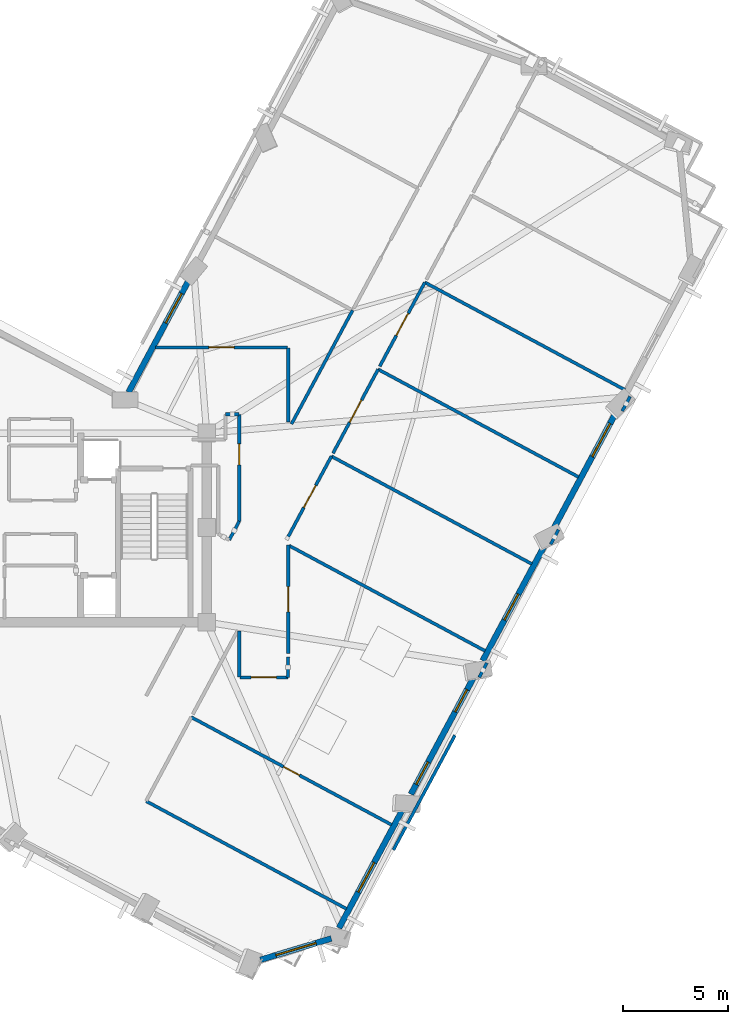
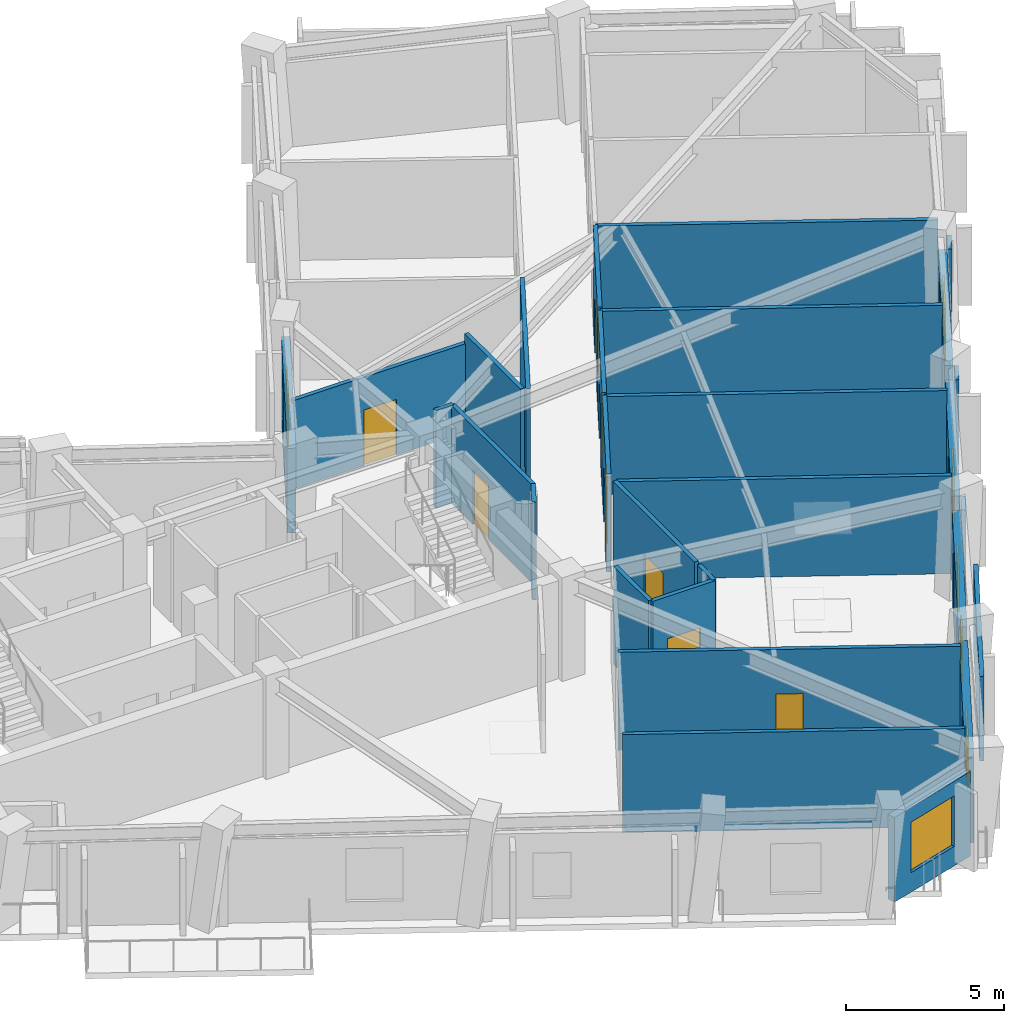
# One storey, part 8 of 14: 29 walls, 8 doors, 7 windows, 15 openings.
"""IFC4 building model written with IfcOpenShell, lengths in metres."""

from ifc_helpers import new_model, si_unit, direction, frame, frame_2d, origin, place, context, subcontext, project, spatial, rectangle, extrude, material, layer, layer_set, type_object, element, fill, save


model = new_model("IFC4")

# Units and contexts
model_context = context("Model", 3, precision=1e-05, world=origin(), true_north=direction((0.0, 1.0)))
body_context = subcontext(model_context, "Body", "Model", "MODEL_VIEW")
ifc_project = project(units=[si_unit("LENGTHUNIT", "METRE"), si_unit("AREAUNIT", "SQUARE_METRE"), si_unit("VOLUMEUNIT", "CUBIC_METRE"), si_unit("PLANEANGLEUNIT", "RADIAN"), si_unit("MASSUNIT", "GRAM", prefix="KILO")], contexts=[model_context])

# Site, building, storey
site_placement = place(None, origin())
site = spatial("IfcSite", under=ifc_project, at=site_placement, CompositionType="ELEMENT")
building_placement = place(site_placement, origin())
building = spatial("IfcBuilding", under=site, at=building_placement, Name="Gaonmaruhae Medical Tower", CompositionType="ELEMENT")
storey_placement = place(building_placement, frame((0.0, 0.0, 288.60009765625)))
storey = spatial("IfcBuildingStorey", under=building, at=storey_placement, Name="L69", CompositionType="ELEMENT", Elevation=288.60009765625)

# Wall, opening, window
ifc_material_1 = material(Name="Precast concrete C45/55", Category="concrete")
ifc_layer_1 = layer(ifc_material_1, 0.280029296875)
ifc_layer_set_1 = layer_set([ifc_layer_1], Name="Precast concrete C45/55")
wall_type_1 = type_object("IfcWallType", Name="EW-280 Upper Precast Masonry-Frame Facade Wall", PredefinedType="SOLIDWALL", material=ifc_layer_set_1)
wall_1_placement = place(storey_placement, frame((44.970703125, -1.046630859375, 0.0), z_axis=(0.0, 0.0, 1.0), x_axis=(-0.473329553923, -0.880885425798, 0.0)))
wall_1 = element("IfcWall", 1, at=wall_1_placement, inside=storey, type_object=wall_type_1, Name="L69 Precast Masonry-Frame Wall S01-S02", PredefinedType="SOLIDWALL", context=body_context, shape_type="SweptSolid", body=[
    extrude(rectangle(XDim=6.484619140625, YDim=0.280029296875, at=frame_2d((3.2421875, 0.0))), origin(), (0.0, 0.0, 1.0), 3.264892578125),
])
opening_1_placement = place(wall_1_placement, frame((2.948974609375, 0.0, 0.75)))
opening_1 = element("IfcOpeningElement", 2, at=opening_1_placement, cuts=wall_1, Name="Opening WN-01", PredefinedType="OPENING", context=body_context, shape_type="SweptSolid", body=[
    extrude(rectangle(XDim=1.60009765625, YDim=1.949951171875, at=frame_2d((0.800048828125, 0.97509765625))), frame((0.0, 0.14990234375, 0.0), z_axis=(0.0, -1.0, 0.0), x_axis=(1.0, 0.0, 0.0)), (0.0, 0.0, 1.0), 0.300048828125),
])
ifc_material_2 = material(Name="Anodised aluminium and Low-E double glazing", Category="aluminium")
window_type_1 = type_object("IfcWindowType", Name="WN-01 Ward Punched Acoustic Window 1600x1950", PartitioningType="SINGLE_PANEL", PredefinedType="WINDOW", material=ifc_material_2)
window_1_placement = place(opening_1_placement, origin())
window_1 = element("IfcWindow", 3, at=window_1_placement, inside=storey, type_object=window_type_1, Name="L69 Modular Facade Window S01", OverallHeight=1.949951171875, OverallWidth=1.60009765625, PartitioningType="SINGLE_PANEL", PredefinedType="WINDOW", context=body_context, shape_type="SweptSolid", body=[
    extrude(rectangle(XDim=1.60009765625, YDim=1.949951171875, at=frame_2d((0.800048828125, 0.97509765625))), frame((0.0, 0.030029296875, 0.0), z_axis=(0.0, -1.0, 0.0), x_axis=(1.0, 0.0, 0.0)), (0.0, 0.0, 1.0), 0.06005859375),
])
fill(opening_1, window_1)

# Wall, openings, windows
wall_2_placement = place(storey_placement, frame((48.3701171875, 5.280029296875, 0.0), z_axis=(0.0, 0.0, 1.0), x_axis=(-0.473335362581, -0.880882304584, 0.0)))
wall_2 = element("IfcWall", 4, at=wall_2_placement, inside=storey, type_object=wall_type_1, Name="L69 Precast Masonry-Frame Wall S02-S03", PredefinedType="SOLIDWALL", context=body_context, shape_type="SweptSolid", body=[
    extrude(rectangle(XDim=6.4384765625, YDim=0.280029296875, at=frame_2d((3.21923828125, 0.0))), origin(), (0.0, 0.0, 1.0), 3.264892578125),
])
opening_2_placement = place(wall_2_placement, frame((0.785400390625, 0.0, 0.75)))
opening_2 = element("IfcOpeningElement", 5, at=opening_2_placement, cuts=wall_2, Name="Opening WN-05", PredefinedType="OPENING", context=body_context, shape_type="SweptSolid", body=[
    extrude(rectangle(XDim=1.199951171875, YDim=1.75, at=frame_2d((0.60009765625, 0.875))), frame((0.0, 0.14990234375, 0.0), z_axis=(0.0, -1.0, 0.0), x_axis=(1.0, 0.0, 0.0)), (0.0, 0.0, 1.0), 0.300048828125),
])
opening_3_placement = place(wall_2_placement, frame((4.705078125, 0.0, 0.75)))
opening_3 = element("IfcOpeningElement", 6, at=opening_3_placement, cuts=wall_2, Name="Opening WN-05", PredefinedType="OPENING", context=body_context, shape_type="SweptSolid", body=[
    extrude(rectangle(XDim=1.199951171875, YDim=1.75, at=frame_2d((0.60009765625, 0.875))), frame((0.0, 0.14990234375, 0.0), z_axis=(0.0, -1.0, 0.0), x_axis=(1.0, 0.0, 0.0)), (0.0, 0.0, 1.0), 0.300048828125),
])
window_type_2 = type_object("IfcWindowType", Name="WN-05 Support & Staff Punched Window 1200x1750", PartitioningType="SINGLE_PANEL", PredefinedType="WINDOW", material=ifc_material_2)
window_2_placement = place(opening_2_placement, origin())
window_2 = element("IfcWindow", 7, at=window_2_placement, inside=storey, type_object=window_type_2, Name="L69 Modular Facade Window S02", OverallHeight=1.75, OverallWidth=1.199951171875, PartitioningType="SINGLE_PANEL", PredefinedType="WINDOW", context=body_context, shape_type="SweptSolid", body=[
    extrude(rectangle(XDim=1.199951171875, YDim=1.75, at=frame_2d((0.60009765625, 0.875))), frame((0.0, 0.030029296875, 0.0), z_axis=(0.0, -1.0, 0.0), x_axis=(1.0, 0.0, 0.0)), (0.0, 0.0, 1.0), 0.06005859375),
])
fill(opening_2, window_2)
window_3_placement = place(opening_3_placement, origin())
window_3 = element("IfcWindow", 8, at=window_3_placement, inside=storey, type_object=window_type_2, Name="L69 Modular Facade Window S02B", OverallHeight=1.75, OverallWidth=1.199951171875, PartitioningType="SINGLE_PANEL", PredefinedType="WINDOW", context=body_context, shape_type="SweptSolid", body=[
    extrude(rectangle(XDim=1.199951171875, YDim=1.75, at=frame_2d((0.60009765625, 0.875))), frame((0.0, 0.030029296875, 0.0), z_axis=(0.0, -1.0, 0.0), x_axis=(1.0, 0.0, 0.0)), (0.0, 0.0, 1.0), 0.06005859375),
])
fill(opening_3, window_3)

# Wall, opening, window
wall_3_placement = place(storey_placement, frame((51.77392578125, 11.614990234375, 0.0), z_axis=(0.0, 0.0, 1.0), x_axis=(-0.473332354162, -0.880883921129, 0.0)))
wall_3 = element("IfcWall", 9, at=wall_3_placement, inside=storey, type_object=wall_type_1, Name="L69 Precast Masonry-Frame Wall S03-S04", PredefinedType="SOLIDWALL", context=body_context, shape_type="SweptSolid", body=[
    extrude(rectangle(XDim=6.413330078125, YDim=0.280029296875, at=frame_2d((3.20654296875, 0.0))), origin(), (0.0, 0.0, 1.0), 3.264892578125),
])
opening_4_placement = place(wall_3_placement, frame((2.817626953125, 0.0, 0.75)))
opening_4 = element("IfcOpeningElement", 10, at=opening_4_placement, cuts=wall_3, Name="Opening WN-03", PredefinedType="OPENING", context=body_context, shape_type="SweptSolid", body=[
    extrude(rectangle(XDim=1.39990234375, YDim=1.85009765625, at=frame_2d((0.699951171875, 0.925048828125))), frame((0.0, 0.14990234375, 0.0), z_axis=(0.0, -1.0, 0.0), x_axis=(1.0, 0.0, 0.0)), (0.0, 0.0, 1.0), 0.300048828125),
])
window_type_3 = type_object("IfcWindowType", Name="WN-03 Isolation Ward Punched Window 1400x1850", PartitioningType="SINGLE_PANEL", PredefinedType="WINDOW", material=ifc_material_2)
window_4_placement = place(opening_4_placement, origin())
window_4 = element("IfcWindow", 11, at=window_4_placement, inside=storey, type_object=window_type_3, Name="L69 Modular Facade Window S03", OverallHeight=1.85009765625, OverallWidth=1.39990234375, PartitioningType="SINGLE_PANEL", PredefinedType="WINDOW", context=body_context, shape_type="SweptSolid", body=[
    extrude(rectangle(XDim=1.39990234375, YDim=1.85009765625, at=frame_2d((0.699951171875, 0.925048828125))), frame((0.0, 0.030029296875, 0.0), z_axis=(0.0, -1.0, 0.0), x_axis=(1.0, 0.0, 0.0)), (0.0, 0.0, 1.0), 0.06005859375),
])
fill(opening_4, window_4)

wall_4_placement = place(storey_placement, frame((55.182373046875, 17.958251953125, 0.0), z_axis=(0.0, 0.0, 1.0), x_axis=(-0.47331339391, -0.880894108929, 0.0)))
wall_4 = element("IfcWall", 12, at=wall_4_placement, inside=storey, type_object=wall_type_1, Name="L69 Precast Masonry-Frame Wall S04-S05", PredefinedType="SOLIDWALL", context=body_context, shape_type="SweptSolid", body=[
    extrude(rectangle(XDim=6.406982421875, YDim=0.280029296875, at=frame_2d((3.20361328125, 0.0))), origin(), (0.0, 0.0, 1.0), 3.264892578125),
])
opening_5_placement = place(wall_4_placement, frame((0.789794921875, 0.0, 0.75)))
opening_5 = element("IfcOpeningElement", 13, at=opening_5_placement, cuts=wall_4, Name="Opening WN-04", PredefinedType="OPENING", context=body_context, shape_type="SweptSolid", body=[
    extrude(rectangle(XDim=1.800048828125, YDim=2.050048828125, at=frame_2d((0.89990234375, 1.02490234375))), frame((0.0, 0.14990234375, 0.0), z_axis=(0.0, -1.0, 0.0), x_axis=(1.0, 0.0, 0.0)), (0.0, 0.0, 1.0), 0.300048828125),
])
window_type_4 = type_object("IfcWindowType", Name="WN-04 Clinic & Consult Punched Window 1800x2050", PartitioningType="SINGLE_PANEL", PredefinedType="WINDOW", material=ifc_material_2)
window_5_placement = place(opening_5_placement, origin())
window_5 = element("IfcWindow", 14, at=window_5_placement, inside=storey, type_object=window_type_4, Name="L69 Modular Facade Window S04", OverallHeight=2.050048828125, OverallWidth=1.800048828125, PartitioningType="SINGLE_PANEL", PredefinedType="WINDOW", context=body_context, shape_type="SweptSolid", body=[
    extrude(rectangle(XDim=1.800048828125, YDim=2.050048828125, at=frame_2d((0.89990234375, 1.02490234375))), frame((0.0, 0.030029296875, 0.0), z_axis=(0.0, -1.0, 0.0), x_axis=(1.0, 0.0, 0.0)), (0.0, 0.0, 1.0), 0.06005859375),
])
fill(opening_5, window_5)

wall_5_placement = place(storey_placement, frame((31.880859375, 18.748291015625, 0.0), z_axis=(0.0, 0.0, 1.0), x_axis=(0.473312386533, 0.880894650202, 0.0)))
wall_5 = element("IfcWall", 15, at=wall_5_placement, inside=storey, type_object=wall_type_1, Name="L69 Precast Masonry-Frame Wall EN02-KN01", PredefinedType="SOLIDWALL", context=body_context, shape_type="SweptSolid", body=[
    extrude(rectangle(XDim=6.158203125, YDim=0.280029296875, at=frame_2d((3.0791015625, 0.0))), origin(), (0.0, 0.0, 1.0), 3.264892578125),
])
opening_6_placement = place(wall_5_placement, frame((3.74169921875, 0.0, 0.75)))
opening_6 = element("IfcOpeningElement", 16, at=opening_6_placement, cuts=wall_5, Name="Opening WN-01", PredefinedType="OPENING", context=body_context, shape_type="SweptSolid", body=[
    extrude(rectangle(XDim=1.60009765625, YDim=1.949951171875, at=frame_2d((0.800048828125, 0.97509765625))), frame((0.0, 0.14990234375, 0.0), z_axis=(0.0, -1.0, 0.0), x_axis=(1.0, 0.0, 0.0)), (0.0, 0.0, 1.0), 0.300048828125),
])
window_6_placement = place(opening_6_placement, origin())
window_6 = element("IfcWindow", 17, at=window_6_placement, inside=storey, type_object=window_type_1, Name="L69 Modular Facade Window EN02", OverallHeight=1.949951171875, OverallWidth=1.60009765625, PartitioningType="SINGLE_PANEL", PredefinedType="WINDOW", context=body_context, shape_type="SweptSolid", body=[
    extrude(rectangle(XDim=1.60009765625, YDim=1.949951171875, at=frame_2d((0.800048828125, 0.97509765625))), frame((0.0, 0.030029296875, 0.0), z_axis=(0.0, -1.0, 0.0), x_axis=(1.0, 0.0, 0.0)), (0.0, 0.0, 1.0), 0.06005859375),
])
fill(opening_6, window_6)

wall_6_placement = place(storey_placement, frame((41.5322265625, -7.2607421875, 0.0), z_axis=(0.0, 0.0, 1.0), x_axis=(-0.957572074079, -0.288193898173, 0.0)))
wall_6 = element("IfcWall", 18, at=wall_6_placement, inside=storey, type_object=wall_type_1, Name="L69 Precast Masonry-Frame Wall W06-S01", PredefinedType="SOLIDWALL", context=body_context, shape_type="SweptSolid", body=[
    extrude(rectangle(XDim=3.520751953125, YDim=0.280029296875, at=frame_2d((1.76025390625, 0.0))), origin(), (0.0, 0.0, 1.0), 3.264892578125),
])
opening_7_placement = place(wall_6_placement, frame((0.759765625, 0.0, 0.75)))
opening_7 = element("IfcOpeningElement", 19, at=opening_7_placement, cuts=wall_6, Name="Opening WN-02", PredefinedType="OPENING", context=body_context, shape_type="SweptSolid", body=[
    extrude(rectangle(XDim=2.0, YDim=1.949951171875, at=frame_2d((1.0, 0.97509765625))), frame((0.0, 0.14990234375, 0.0), z_axis=(0.0, -1.0, 0.0), x_axis=(1.0, 0.0, 0.0)), (0.0, 0.0, 1.0), 0.300048828125),
])
window_type_5 = type_object("IfcWindowType", Name="WN-02 Double-Bed Ward Punched Window 2000x1950", PartitioningType="SINGLE_PANEL", PredefinedType="WINDOW", material=ifc_material_2)
window_7_placement = place(opening_7_placement, origin())
window_7 = element("IfcWindow", 20, at=window_7_placement, inside=storey, type_object=window_type_5, Name="L69 Modular Facade Window W06", OverallHeight=1.949951171875, OverallWidth=2.0, PartitioningType="SINGLE_PANEL", PredefinedType="WINDOW", context=body_context, shape_type="SweptSolid", body=[
    extrude(rectangle(XDim=2.0, YDim=1.949951171875, at=frame_2d((1.0, 0.97509765625))), frame((0.0, 0.030029296875, 0.0), z_axis=(0.0, -1.0, 0.0), x_axis=(1.0, 0.0, 0.0)), (0.0, 0.0, 1.0), 0.06005859375),
])
fill(opening_7, window_7)

# Wall, opening, door
ifc_material_3 = material(Name="Gypsum board partition", Category="gypsum")
ifc_layer_2 = layer(ifc_material_3, 0.14990234375)
ifc_layer_set_2 = layer_set([ifc_layer_2], Name="Gypsum board partition")
wall_type_2 = type_object("IfcWallType", Name="PW-150 Rated Clinical Corridor Partition", PredefinedType="PARTITIONING", material=ifc_layer_set_2)
wall_7_placement = place(storey_placement, frame((34.864013671875, 3.278076171875, 0.0), z_axis=(0.0, 0.0, 1.0), x_axis=(0.880889698019, -0.473321603062, 0.0)))
wall_7 = element("IfcWall", 21, at=wall_7_placement, inside=storey, type_object=wall_type_2, Name="L69 Interior Partition L69-SUP02-15", PredefinedType="PARTITIONING", context=body_context, shape_type="SweptSolid", body=[
    extrude(rectangle(XDim=10.83447265625, YDim=0.14990234375, at=frame_2d((5.417236328125, 0.0))), origin(), (0.0, 0.0, 1.0), 3.77978515625),
])
opening_8_placement = place(wall_7_placement, frame((4.9873046875, 0.0, 0.0)))
opening_8 = element("IfcOpeningElement", 22, at=opening_8_placement, cuts=wall_7, Name="Opening AD-01", PredefinedType="OPENING", context=body_context, shape_type="SweptSolid", body=[
    extrude(rectangle(XDim=0.860107421875, YDim=2.06005859375, at=frame_2d((0.43017578125, 1.030029296875))), frame((0.0, 0.0849609375, 0.0), z_axis=(0.0, -1.0, 0.0), x_axis=(1.0, 0.0, 0.0)), (0.0, 0.0, 1.0), 0.169921875),
])
ifc_material_4 = material(Name="Powder-coated steel access door", Category="steel")
door_type_1 = type_object("IfcDoorType", Name="AD-01 Riser & Closet Access Fire Door 860x2060", OperationType="NOTDEFINED", PredefinedType="DOOR", material=ifc_material_4)
door_1_placement = place(opening_8_placement, origin())
door_1 = element("IfcDoor", 23, at=door_1_placement, inside=storey, type_object=door_type_1, Name="L69 Clinical Biomedical Charting Office Sliding Door", OperationType="SLIDING_TO_LEFT", OverallHeight=2.06005859375, OverallWidth=0.860107421875, PredefinedType="DOOR", context=body_context, shape_type="SweptSolid", body=[
    extrude(rectangle(XDim=0.860107421875, YDim=2.06005859375, at=frame_2d((0.43017578125, 1.030029296875))), frame((0.0, 0.02490234375, 0.0), z_axis=(0.0, -1.0, 0.0), x_axis=(1.0, 0.0, 0.0)), (0.0, 0.0, 1.0), 0.050048828125),
])
fill(opening_8, door_1)

# Wall
wall_8_placement = place(storey_placement, frame((42.259033203125, -5.85009765625, 0.0), z_axis=(0.0, 0.0, 1.0), x_axis=(-0.880852115572, 0.473391540368, 0.0)))
element("IfcWall", 24, at=wall_8_placement, inside=storey, type_object=wall_type_2, Name="L69 Interior Partition L69-SUP02-16", PredefinedType="PARTITIONING", context=body_context, shape_type="SweptSolid", body=[
    extrude(rectangle(XDim=10.8349609375, YDim=0.14990234375, at=frame_2d((5.41748046875, 0.0))), origin(), (0.0, 0.0, 1.0), 3.77978515625),
])

# Wall, opening, door
wall_9_placement = place(storey_placement, frame((37.179931640625, 5.169921875, 0.0), z_axis=(0.0, 0.0, 1.0), x_axis=(0.999999536038, 0.000963287576, 0.0)))
wall_9 = element("IfcWall", 25, at=wall_9_placement, inside=storey, type_object=wall_type_2, Name="L69 Interior Partition L69-SUP03-17", PredefinedType="PARTITIONING", context=body_context, shape_type="SweptSolid", body=[
    extrude(rectangle(XDim=2.281005859375, YDim=0.14990234375, at=frame_2d((1.140625, 0.0))), origin(), (0.0, 0.0, 1.0), 3.77978515625),
])
opening_9_placement = place(wall_9_placement, frame((0.54052734375, 0.0, 0.0)))
opening_9 = element("IfcOpeningElement", 26, at=opening_9_placement, cuts=wall_9, Name="Opening CD-02", PredefinedType="OPENING", context=body_context, shape_type="SweptSolid", body=[
    extrude(rectangle(XDim=1.199951171875, YDim=2.14990234375, at=frame_2d((0.60009765625, 1.074951171875))), frame((0.0, 0.0849609375, 0.0), z_axis=(0.0, -1.0, 0.0), x_axis=(1.0, 0.0, 0.0)), (0.0, 0.0, 1.0), 0.169921875),
])
ifc_material_5 = material(Name="Antimicrobial laminate timber fire door", Category="wood")
door_type_2 = type_object("IfcDoorType", Name="CD-02 Clinical Treatment & Procedure Door 1200x2150", OperationType="NOTDEFINED", PredefinedType="DOOR", material=ifc_material_5)
door_2_placement = place(opening_9_placement, origin())
door_2 = element("IfcDoor", 27, at=door_2_placement, inside=storey, type_object=door_type_2, Name="L69 Clinical Biomedical Charting Office Door", OperationType="SINGLE_SWING_RIGHT", OverallHeight=2.14990234375, OverallWidth=1.199951171875, PredefinedType="DOOR", context=body_context, shape_type="SweptSolid", body=[
    extrude(rectangle(XDim=1.199951171875, YDim=2.14990234375, at=frame_2d((0.60009765625, 1.074951171875))), frame((0.0, 0.02490234375, 0.0), z_axis=(0.0, -1.0, 0.0), x_axis=(1.0, 0.0, 0.0)), (0.0, 0.0, 1.0), 0.050048828125),
])
fill(opening_9, door_2)

# Walls
wall_10_placement = place(storey_placement, frame((39.4609375, 5.172119140625, 0.0), z_axis=(0.0, 0.0, 1.0), x_axis=(0.019793076049, 0.999804097881, 0.0)))
element("IfcWall", 28, at=wall_10_placement, inside=storey, type_object=wall_type_2, Name="L69 Interior Partition L69-SUP03-18", PredefinedType="PARTITIONING", context=body_context, shape_type="SweptSolid", body=[
    extrude(rectangle(XDim=0.962158203125, YDim=0.14990234375, at=frame_2d((0.48095703125, 0.0))), origin(), (0.0, 0.0, 1.0), 3.77978515625),
])
wall_11_placement = place(storey_placement, frame((37.14990234375, 7.385009765625, 0.0), z_axis=(0.0, 0.0, 1.0), x_axis=(0.0, -1.0, 0.0)))
element("IfcWall", 29, at=wall_11_placement, inside=storey, type_object=wall_type_2, Name="L69 Interior Partition L69-SUP03-22", PredefinedType="PARTITIONING", context=body_context, shape_type="SweptSolid", body=[
    extrude(rectangle(XDim=2.18798828125, YDim=0.14990234375, at=frame_2d((1.093994140625, 0.0))), origin(), (0.0, 0.0, 1.0), 3.77978515625),
])
wall_12_placement = place(storey_placement, frame((48.94091796875, 5.85693359375, 0.0), z_axis=(0.0, 0.0, 1.0), x_axis=(-0.473595091589, -0.880742691836, 0.0)))
element("IfcWall", 30, at=wall_12_placement, inside=storey, type_object=wall_type_2, Name="L69 Interior Partition L69-SUP04-23", PredefinedType="PARTITIONING", context=body_context, shape_type="SweptSolid", body=[
    extrude(rectangle(XDim=0.77880859375, YDim=0.14990234375, at=frame_2d((0.389404296875, 0.0))), origin(), (0.0, 0.0, 1.0), 3.264892578125),
])

# Wall, opening, door
wall_13_placement = place(storey_placement, frame((39.47998046875, 6.31494140625, 0.0), z_axis=(0.0, 0.0, 1.0), x_axis=(0.0, 1.0, 0.0)))
wall_13 = element("IfcWall", 31, at=wall_13_placement, inside=storey, type_object=wall_type_2, Name="L69 Interior Partition L69-SUP04-24", PredefinedType="PARTITIONING", context=body_context, shape_type="SweptSolid", body=[
    extrude(rectangle(XDim=5.154052734375, YDim=0.14990234375, at=frame_2d((2.5771484375, 0.0))), origin(), (0.0, 0.0, 1.0), 3.77978515625),
])
opening_10_placement = place(wall_13_placement, frame((1.97705078125, 0.0, 0.0)))
opening_10 = element("IfcOpeningElement", 32, at=opening_10_placement, cuts=wall_13, Name="Opening CD-02", PredefinedType="OPENING", context=body_context, shape_type="SweptSolid", body=[
    extrude(rectangle(XDim=1.199951171875, YDim=2.14990234375, at=frame_2d((0.60009765625, 1.074951171875))), frame((0.0, 0.0849609375, 0.0), z_axis=(0.0, -1.0, 0.0), x_axis=(1.0, 0.0, 0.0)), (0.0, 0.0, 1.0), 0.169921875),
])
door_3_placement = place(opening_10_placement, origin())
door_3 = element("IfcDoor", 33, at=door_3_placement, inside=storey, type_object=door_type_2, Name="L69 Clinical Biomedical Charting Office Door", OperationType="SINGLE_SWING_LEFT", OverallHeight=2.14990234375, OverallWidth=1.199951171875, PredefinedType="DOOR", context=body_context, shape_type="SweptSolid", body=[
    extrude(rectangle(XDim=1.199951171875, YDim=2.14990234375, at=frame_2d((0.60009765625, 1.074951171875))), frame((0.0, 0.02490234375, 0.0), z_axis=(0.0, -1.0, 0.0), x_axis=(1.0, 0.0, 0.0)), (0.0, 0.0, 1.0), 0.050048828125),
])
fill(opening_10, door_3)

# Walls
wall_14_placement = place(storey_placement, frame((39.530029296875, 11.44189453125, 0.0), z_axis=(0.0, 0.0, 1.0), x_axis=(0.880873551666, -0.473351651497, 0.0)))
element("IfcWall", 34, at=wall_14_placement, inside=storey, type_object=wall_type_2, Name="L69 Interior Partition L69-SUP04-25", PredefinedType="PARTITIONING", context=body_context, shape_type="SweptSolid", body=[
    extrude(rectangle(XDim=10.588134765625, YDim=0.14990234375, at=frame_2d((5.2939453125, 0.0))), origin(), (0.0, 0.0, 1.0), 3.77978515625),
])
wall_15_placement = place(storey_placement, frame((41.5380859375, 15.698974609375, 0.0), z_axis=(0.0, 0.0, 1.0), x_axis=(0.880861511404, -0.47337405688, 0.0)))
element("IfcWall", 35, at=wall_15_placement, inside=storey, type_object=wall_type_2, Name="L69 Interior Partition L69-SUP05-26", PredefinedType="PARTITIONING", context=body_context, shape_type="SweptSolid", body=[
    extrude(rectangle(XDim=10.834716796875, YDim=0.14990234375, at=frame_2d((5.41748046875, 0.0))), origin(), (0.0, 0.0, 1.0), 3.77978515625),
])

# Wall, opening, door
wall_16_placement = place(storey_placement, frame((39.47998046875, 11.868896484375, 0.0), z_axis=(0.0, 0.0, 1.0), x_axis=(0.473342913311, 0.880878247216, 0.0)))
wall_16 = element("IfcWall", 36, at=wall_16_placement, inside=storey, type_object=wall_type_2, Name="L69 Interior Partition L69-SUP05-27", PredefinedType="PARTITIONING", context=body_context, shape_type="SweptSolid", body=[
    extrude(rectangle(XDim=4.347900390625, YDim=0.14990234375, at=frame_2d((2.173828125, 0.0))), origin(), (0.0, 0.0, 1.0), 3.77978515625),
])
opening_11_placement = place(wall_16_placement, frame((1.573974609375, 0.0, 0.0)))
opening_11 = element("IfcOpeningElement", 37, at=opening_11_placement, cuts=wall_16, Name="Opening CD-02", PredefinedType="OPENING", context=body_context, shape_type="SweptSolid", body=[
    extrude(rectangle(XDim=1.199951171875, YDim=2.14990234375, at=frame_2d((0.60009765625, 1.074951171875))), frame((0.0, 0.0849609375, 0.0), z_axis=(0.0, -1.0, 0.0), x_axis=(1.0, 0.0, 0.0)), (0.0, 0.0, 1.0), 0.169921875),
])
door_4_placement = place(opening_11_placement, origin())
door_4 = element("IfcDoor", 38, at=door_4_placement, inside=storey, type_object=door_type_2, Name="L69 Clinical Biomedical Charting Office Door", OperationType="SINGLE_SWING_RIGHT", OverallHeight=2.14990234375, OverallWidth=1.199951171875, PredefinedType="DOOR", context=body_context, shape_type="SweptSolid", body=[
    extrude(rectangle(XDim=1.199951171875, YDim=2.14990234375, at=frame_2d((0.60009765625, 1.074951171875))), frame((0.0, 0.02490234375, 0.0), z_axis=(0.0, -1.0, 0.0), x_axis=(1.0, 0.0, 0.0)), (0.0, 0.0, 1.0), 0.050048828125),
])
fill(opening_11, door_4)

wall_17_placement = place(storey_placement, frame((41.613037109375, 15.840087890625, 0.0), z_axis=(0.0, 0.0, 1.0), x_axis=(0.47334923321, 0.880874851168, 0.0)))
wall_17 = element("IfcWall", 39, at=wall_17_placement, inside=storey, type_object=wall_type_2, Name="L69 Interior Partition L69-SUP06-28", PredefinedType="PARTITIONING", context=body_context, shape_type="SweptSolid", body=[
    extrude(rectangle(XDim=4.539794921875, YDim=0.14990234375, at=frame_2d((2.27001953125, 0.0))), origin(), (0.0, 0.0, 1.0), 3.77978515625),
])
opening_12_placement = place(wall_17_placement, frame((1.669921875, 0.0, 0.0)))
opening_12 = element("IfcOpeningElement", 40, at=opening_12_placement, cuts=wall_17, Name="Opening CD-02", PredefinedType="OPENING", context=body_context, shape_type="SweptSolid", body=[
    extrude(rectangle(XDim=1.199951171875, YDim=2.14990234375, at=frame_2d((0.60009765625, 1.074951171875))), frame((0.0, 0.0849609375, 0.0), z_axis=(0.0, -1.0, 0.0), x_axis=(1.0, 0.0, 0.0)), (0.0, 0.0, 1.0), 0.169921875),
])
door_5_placement = place(opening_12_placement, origin())
door_5 = element("IfcDoor", 41, at=door_5_placement, inside=storey, type_object=door_type_2, Name="L69 Clinical Biomedical Charting Office Door", OperationType="SINGLE_SWING_LEFT", OverallHeight=2.14990234375, OverallWidth=1.199951171875, PredefinedType="DOOR", context=body_context, shape_type="SweptSolid", body=[
    extrude(rectangle(XDim=1.199951171875, YDim=2.14990234375, at=frame_2d((0.60009765625, 1.074951171875))), frame((0.0, 0.02490234375, 0.0), z_axis=(0.0, -1.0, 0.0), x_axis=(1.0, 0.0, 0.0)), (0.0, 0.0, 1.0), 0.050048828125),
])
fill(opening_12, door_5)

# Walls
wall_18_placement = place(storey_placement, frame((43.761962890625, 19.839111328125, 0.0), z_axis=(0.0, 0.0, 1.0), x_axis=(0.880909888867, -0.473284024341, 0.0)))
element("IfcWall", 42, at=wall_18_placement, inside=storey, type_object=wall_type_2, Name="L69 Interior Partition L69-SUP06-29", PredefinedType="PARTITIONING", context=body_context, shape_type="SweptSolid", body=[
    extrude(rectangle(XDim=10.835205078125, YDim=0.14990234375, at=frame_2d((5.41748046875, 0.0))), origin(), (0.0, 0.0, 1.0), 3.77978515625),
])
wall_19_placement = place(storey_placement, frame((52.35302734375, 12.205078125, 0.0), z_axis=(0.0, 0.0, 1.0), x_axis=(-0.473714563566, -0.880678438629, 0.0)))
element("IfcWall", 43, at=wall_19_placement, inside=storey, type_object=wall_type_2, Name="L69 Interior Partition L69-SUP06-30", PredefinedType="PARTITIONING", context=body_context, shape_type="SweptSolid", body=[
    extrude(rectangle(XDim=0.793701171875, YDim=0.14990234375, at=frame_2d((0.39697265625, 0.0))), origin(), (0.0, 0.0, 1.0), 3.264892578125),
])

# Wall, opening, door
wall_20_placement = place(storey_placement, frame((43.837890625, 19.97998046875, 0.0), z_axis=(0.0, 0.0, 1.0), x_axis=(0.473390959729, 0.880852427622, 0.0)))
wall_20 = element("IfcWall", 44, at=wall_20_placement, inside=storey, type_object=wall_type_2, Name="L69 Interior Partition L69-SUP07-31", PredefinedType="PARTITIONING", context=body_context, shape_type="SweptSolid", body=[
    extrude(rectangle(XDim=4.5400390625, YDim=0.14990234375, at=frame_2d((2.27001953125, 0.0))), origin(), (0.0, 0.0, 1.0), 3.77978515625),
])
opening_13_placement = place(wall_20_placement, frame((1.669921875, 0.0, 0.0)))
opening_13 = element("IfcOpeningElement", 45, at=opening_13_placement, cuts=wall_20, Name="Opening CD-02", PredefinedType="OPENING", context=body_context, shape_type="SweptSolid", body=[
    extrude(rectangle(XDim=1.199951171875, YDim=2.14990234375, at=frame_2d((0.60009765625, 1.074951171875))), frame((0.0, 0.0849609375, 0.0), z_axis=(0.0, -1.0, 0.0), x_axis=(1.0, 0.0, 0.0)), (0.0, 0.0, 1.0), 0.169921875),
])
door_6_placement = place(opening_13_placement, origin())
door_6 = element("IfcDoor", 46, at=door_6_placement, inside=storey, type_object=door_type_2, Name="L69 Clinical Biomedical Charting Office Door", OperationType="SINGLE_SWING_LEFT", OverallHeight=2.14990234375, OverallWidth=1.199951171875, PredefinedType="DOOR", context=body_context, shape_type="SweptSolid", body=[
    extrude(rectangle(XDim=1.199951171875, YDim=2.14990234375, at=frame_2d((0.60009765625, 1.074951171875))), frame((0.0, 0.02490234375, 0.0), z_axis=(0.0, -1.0, 0.0), x_axis=(1.0, 0.0, 0.0)), (0.0, 0.0, 1.0), 0.050048828125),
])
fill(opening_13, door_6)

# Walls
wall_21_placement = place(storey_placement, frame((45.987060546875, 23.97900390625, 0.0), z_axis=(0.0, 0.0, 1.0), x_axis=(0.880899093264, -0.473304117336, 0.0)))
element("IfcWall", 47, at=wall_21_placement, inside=storey, type_object=wall_type_2, Name="L69 Interior Partition L69-SUP07-32", PredefinedType="PARTITIONING", context=body_context, shape_type="SweptSolid", body=[
    extrude(rectangle(XDim=10.834228515625, YDim=0.14990234375, at=frame_2d((5.4169921875, 0.0))), origin(), (0.0, 0.0, 1.0), 3.77978515625),
])
wall_22_placement = place(storey_placement, frame((55.759033203125, 18.547119140625, 0.0), z_axis=(0.0, 0.0, 1.0), x_axis=(-0.472829394427, -0.881153995489, 0.0)))
element("IfcWall", 48, at=wall_22_placement, inside=storey, type_object=wall_type_2, Name="L69 Interior Partition L69-SUP07-33", PredefinedType="PARTITIONING", context=body_context, shape_type="SweptSolid", body=[
    extrude(rectangle(XDim=0.791015625, YDim=0.14990234375, at=frame_2d((0.3955078125, 0.0))), origin(), (0.0, 0.0, 1.0), 3.264892578125),
])
wall_23_placement = place(storey_placement, frame((36.5, 17.699951171875, 0.0), z_axis=(0.0, 0.0, 1.0), x_axis=(1.0, 0.0, 0.0)))
element("IfcWall", 49, at=wall_23_placement, inside=storey, type_object=wall_type_2, Name="L69 Interior Partition L69-IE02-68", PredefinedType="PARTITIONING", context=body_context, shape_type="SweptSolid", body=[
    extrude(rectangle(XDim=0.64990234375, YDim=0.14990234375, at=frame_2d((0.324951171875, 0.0))), origin(), (0.0, 0.0, 1.0), 3.77978515625),
])

# Wall, opening, door
wall_24_placement = place(storey_placement, frame((37.14990234375, 17.699951171875, 0.0), z_axis=(0.0, 0.0, 1.0), x_axis=(0.0, -1.0, 0.0)))
wall_24 = element("IfcWall", 50, at=wall_24_placement, inside=storey, type_object=wall_type_2, Name="L69 Interior Partition L69-IE02-69", PredefinedType="PARTITIONING", context=body_context, shape_type="SweptSolid", body=[
    extrude(rectangle(XDim=5.095947265625, YDim=0.14990234375, at=frame_2d((2.5478515625, 0.0))), origin(), (0.0, 0.0, 1.0), 3.77978515625),
])
opening_14_placement = place(wall_24_placement, frame((1.41162109375, 0.0, 0.0)))
opening_14 = element("IfcOpeningElement", 51, at=opening_14_placement, cuts=wall_24, Name="Opening CD-01", PredefinedType="OPENING", context=body_context, shape_type="SweptSolid", body=[
    extrude(rectangle(XDim=1.0, YDim=2.1201171875, at=frame_2d((0.5, 1.06005859375))), frame((0.0, 0.0849609375, 0.0), z_axis=(0.0, -1.0, 0.0), x_axis=(1.0, 0.0, 0.0)), (0.0, 0.0, 1.0), 0.169921875),
])
door_type_3 = type_object("IfcDoorType", Name="CD-01 Consultation & Physician Office Door 1000x2120", OperationType="NOTDEFINED", PredefinedType="DOOR", material=ifc_material_5)
door_7_placement = place(opening_14_placement, origin())
door_7 = element("IfcDoor", 52, at=door_7_placement, inside=storey, type_object=door_type_3, Name="L69 Acute Treatment Examination Room Sliding Door", OperationType="SLIDING_TO_LEFT", OverallHeight=2.1201171875, OverallWidth=1.0, PredefinedType="DOOR", context=body_context, shape_type="SweptSolid", body=[
    extrude(rectangle(XDim=1.0, YDim=2.1201171875, at=frame_2d((0.5, 1.06005859375))), frame((0.0, 0.02490234375, 0.0), z_axis=(0.0, -1.0, 0.0), x_axis=(1.0, 0.0, 0.0)), (0.0, 0.0, 1.0), 0.050048828125),
])
fill(opening_14, door_7)

# Wall
wall_25_placement = place(storey_placement, frame((37.14990234375, 12.60400390625, 0.0), z_axis=(0.0, 0.0, 1.0), x_axis=(-0.472794687641, -0.881172618355, 0.0)))
element("IfcWall", 53, at=wall_25_placement, inside=storey, type_object=wall_type_2, Name="L69 Interior Partition L69-IE02-70", PredefinedType="PARTITIONING", context=body_context, shape_type="SweptSolid", body=[
    extrude(rectangle(XDim=1.00439453125, YDim=0.14990234375, at=frame_2d((0.502197265625, 0.0))), origin(), (0.0, 0.0, 1.0), 3.77978515625),
])

# Wall, opening, door
wall_26_placement = place(storey_placement, frame((39.449951171875, 20.8798828125, 0.0), z_axis=(0.0, 0.0, 1.0), x_axis=(-1.0, 0.0, 0.0)))
wall_26 = element("IfcWall", 54, at=wall_26_placement, inside=storey, type_object=wall_type_2, Name="L69 Interior Partition L69-IE03-74", PredefinedType="PARTITIONING", context=body_context, shape_type="SweptSolid", body=[
    extrude(rectangle(XDim=6.29296875, YDim=0.14990234375, at=frame_2d((3.146484375, 0.0))), origin(), (0.0, 0.0, 1.0), 3.414794921875),
])
opening_15_placement = place(wall_26_placement, frame((2.54638671875, 0.0, 0.0)))
opening_15 = element("IfcOpeningElement", 55, at=opening_15_placement, cuts=wall_26, Name="Opening CD-02", PredefinedType="OPENING", context=body_context, shape_type="SweptSolid", body=[
    extrude(rectangle(XDim=1.199951171875, YDim=2.14990234375, at=frame_2d((0.60009765625, 1.074951171875))), frame((0.0, 0.0849609375, 0.0), z_axis=(0.0, -1.0, 0.0), x_axis=(1.0, 0.0, 0.0)), (0.0, 0.0, 1.0), 0.169921875),
])
door_8_placement = place(opening_15_placement, origin())
door_8 = element("IfcDoor", 56, at=door_8_placement, inside=storey, type_object=door_type_2, Name="L69 Clean Medication Preparation Room Door", OperationType="SINGLE_SWING_RIGHT", OverallHeight=2.14990234375, OverallWidth=1.199951171875, PredefinedType="DOOR", context=body_context, shape_type="SweptSolid", body=[
    extrude(rectangle(XDim=1.199951171875, YDim=2.14990234375, at=frame_2d((0.60009765625, 1.074951171875))), frame((0.0, 0.02490234375, 0.0), z_axis=(0.0, -1.0, 0.0), x_axis=(1.0, 0.0, 0.0)), (0.0, 0.0, 1.0), 0.050048828125),
])
fill(opening_15, door_8)

# Walls
wall_27_placement = place(storey_placement, frame((42.5458984375, 22.64697265625, 0.0), z_axis=(0.0, 0.0, 1.0), x_axis=(-0.473270026335, -0.880917409394, 0.0)))
element("IfcWall", 57, at=wall_27_placement, inside=storey, type_object=wall_type_2, Name="L69 Interior Partition L69-IE03-78", PredefinedType="PARTITIONING", context=body_context, shape_type="SweptSolid", body=[
    extrude(rectangle(XDim=6.142333984375, YDim=0.14990234375, at=frame_2d((3.0712890625, 0.0))), origin(), (0.0, 0.0, 1.0), 3.77978515625),
])
wall_28_placement = place(storey_placement, frame((39.47998046875, 17.321044921875, 0.0), z_axis=(0.0, 0.0, 1.0), x_axis=(0.0, 1.0, 0.0)))
element("IfcWall", 58, at=wall_28_placement, inside=storey, type_object=wall_type_2, Name="L69 Interior Partition L69-IE03-79", PredefinedType="PARTITIONING", context=body_context, shape_type="SweptSolid", body=[
    extrude(rectangle(XDim=3.531982421875, YDim=0.14990234375, at=frame_2d((1.76611328125, 0.0))), origin(), (0.0, 0.0, 1.0), 3.77978515625),
])
wall_29_placement = place(storey_placement, frame((47.419921875, 2.412109375, 0.0), z_axis=(0.0, 0.0, 1.0), x_axis=(-0.473368134978, -0.880864693802, 0.0)))
element("IfcWall", 59, at=wall_29_placement, inside=storey, type_object=wall_type_2, Name="L69 Interior Partition L69-RM01-102", PredefinedType="PARTITIONING", context=body_context, shape_type="SweptSolid", body=[
    extrude(rectangle(XDim=6.189453125, YDim=0.14990234375, at=frame_2d((3.0947265625, 0.0))), origin(), (0.0, 0.0, 1.0), 3.264892578125),
])

save(model, "model.ifc")
